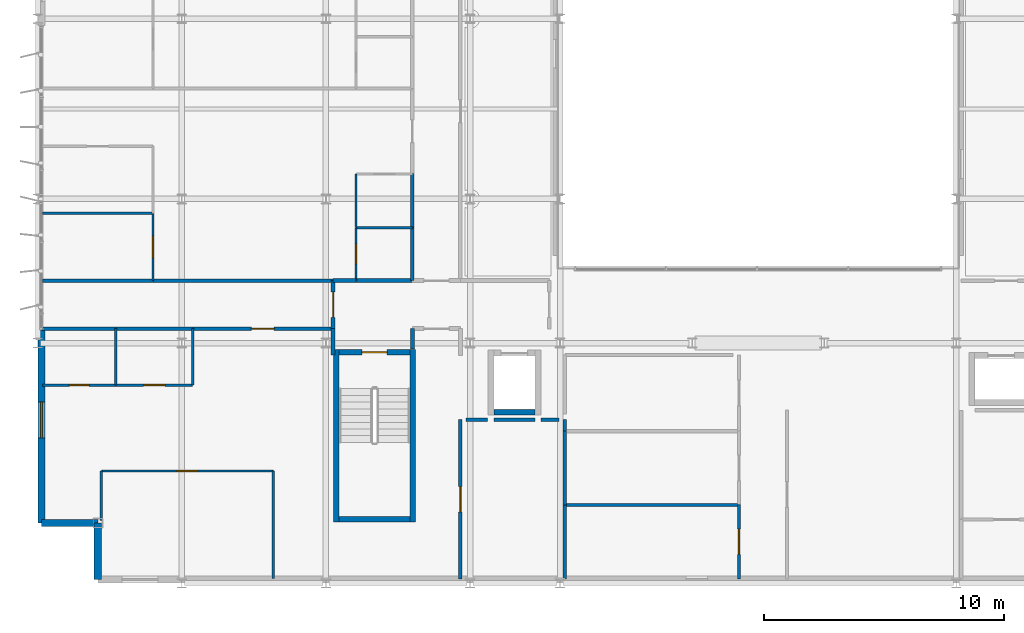
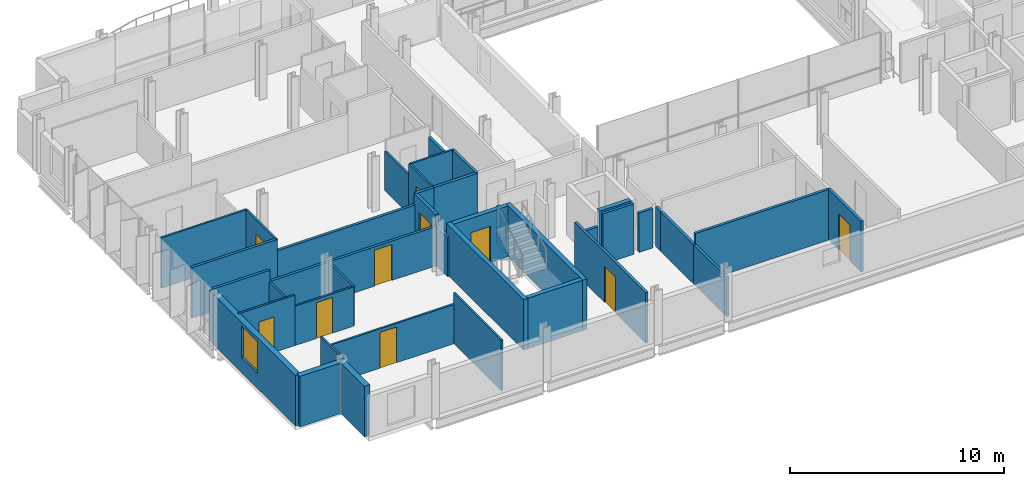
# One storey, part 29 of 38: 41 walls, 10 doors, 1 window, 11 openings.
"""IFC4 building model written with IfcOpenShell, lengths in metres."""

from ifc_helpers import new_model, si_unit, direction, frame, frame_2d, origin, place, context, subcontext, project, spatial, rectangle, extrude, material, layer, layer_set, type_object, element, fill, save


model = new_model("IFC4")

# Units and contexts
model_context = context("Model", 3, precision=1e-05, world=origin(), true_north=direction((0.0, 1.0)))
body_context = subcontext(model_context, "Body", "Model", "MODEL_VIEW")
ifc_project = project(units=[si_unit("LENGTHUNIT", "METRE"), si_unit("AREAUNIT", "SQUARE_METRE"), si_unit("VOLUMEUNIT", "CUBIC_METRE"), si_unit("PLANEANGLEUNIT", "RADIAN"), si_unit("MASSUNIT", "GRAM", prefix="KILO")], contexts=[model_context])

# Site, building, storey
site_placement = place(None, origin())
site = spatial("IfcSite", under=ifc_project, at=site_placement, CompositionType="ELEMENT")
building_placement = place(site_placement, origin())
building = spatial("IfcBuilding", under=site, at=building_placement, Name="Brevholm Reach", CompositionType="ELEMENT")
storey_placement = place(building_placement, frame((0.0, 0.0, 166.60009765625)))
storey = spatial("IfcBuildingStorey", under=building, at=storey_placement, Name="L50", CompositionType="ELEMENT", Elevation=166.60009765625)

# Walls
ifc_material_1 = material(Name="Concrete C45/55", Category="concrete")
ifc_layer_1 = layer(ifc_material_1, 0.239990234375)
ifc_layer_set_1 = layer_set([ifc_layer_1], Name="Concrete C45/55")
wall_type_1 = type_object("IfcWallType", Name="WAL-COR-240", PredefinedType="SHEAR", material=ifc_layer_set_1)
for number, where, z_axis, x_axis, name in (
    (1, (12.429931640625, 2.5400390625, 0.0), (0.0, 0.0, 1.0), (0.0, 1.0, 0.0), "L50 Escape Stair ST-1 Core Wall W"),
    (2, (15.6201171875, 2.5400390625, 0.0), (0.0, 0.0, 1.0), (0.0, 1.0, 0.0), "L50 Escape Stair ST-1 Core Wall E"),
):
    element("IfcWall", number, at=place(storey_placement, frame(where, z_axis=z_axis, x_axis=x_axis)), inside=storey, type_object=wall_type_1, Name=name, PredefinedType="SHEAR", context=body_context, shape_type="SweptSolid", body=[
        extrude(rectangle(XDim=7.199951171875, YDim=0.239990234375, at=frame_2d((3.60009765625, 0.0))), origin(), (0.0, 0.0, 1.0), 2.8798828125),
    ])
wall_1_placement = place(storey_placement, frame((12.550048828125, 2.659912109375, 0.0), z_axis=(0.0, 0.0, 1.0), x_axis=(1.0, 0.0, 0.0)))
element("IfcWall", 3, at=wall_1_placement, inside=storey, type_object=wall_type_1, Name="L50 Escape Stair ST-1 Core Wall S", PredefinedType="SHEAR", context=body_context, shape_type="SweptSolid", body=[
    extrude(rectangle(XDim=2.949951171875, YDim=0.239990234375, at=frame_2d((1.47509765625, 0.0))), origin(), (0.0, 0.0, 1.0), 2.8798828125),
])

# Wall, opening, door
wall_2_placement = place(storey_placement, frame((15.5, 9.6201171875, 0.0), z_axis=(0.0, 0.0, 1.0), x_axis=(-1.0, 0.0, 0.0)))
wall_2 = element("IfcWall", 4, at=wall_2_placement, inside=storey, type_object=wall_type_1, Name="L50 Escape Stair ST-1 Core Wall N", PredefinedType="SHEAR", context=body_context, shape_type="SweptSolid", body=[
    extrude(rectangle(XDim=2.949951171875, YDim=0.239990234375, at=frame_2d((1.47509765625, 0.0))), origin(), (0.0, 0.0, 1.0), 2.8798828125),
])
opening_1_placement = place(wall_2_placement, frame((0.949951171875, 0.0, 0.0)))
opening_1 = element("IfcOpeningElement", 5, at=opening_1_placement, cuts=wall_2, Name="Opening SD-ST-1", PredefinedType="OPENING", context=body_context, shape_type="SweptSolid", body=[
    extrude(rectangle(XDim=1.050048828125, YDim=2.06005859375, at=frame_2d((0.52490234375, 1.030029296875))), frame((0.0, 0.1298828125, 0.0), z_axis=(0.0, -1.0, 0.0), x_axis=(1.0, 0.0, 0.0)), (0.0, 0.0, 1.0), 0.260009765625),
])
ifc_material_2 = material(Name="Hardwood-Lipped Steel-Core Fire and Smoke Door", Category="steel")
door_type_1 = type_object("IfcDoorType", Name="DOR-INT-FD60S", OperationType="NOTDEFINED", PredefinedType="DOOR", material=ifc_material_2)
door_1_placement = place(opening_1_placement, origin())
door_1 = element("IfcDoor", 6, at=door_1_placement, inside=storey, type_object=door_type_1, Name="L50 Protected Stair ST-1 Lobby Door", OperationType="SINGLE_SWING_RIGHT", OverallHeight=2.06005859375, OverallWidth=1.050048828125, PredefinedType="DOOR", context=body_context, shape_type="SweptSolid", body=[
    extrude(rectangle(XDim=1.050048828125, YDim=2.06005859375, at=frame_2d((0.52490234375, 1.030029296875))), frame((0.0, 0.02490234375, 0.0), z_axis=(0.0, -1.0, 0.0), x_axis=(1.0, 0.0, 0.0)), (0.0, 0.0, 1.0), 0.050048828125),
])
fill(opening_1, door_1)

# Walls
wall_3_placement = place(storey_placement, frame((18.989990234375, 7.1201171875, 0.0), z_axis=(0.0, 0.0, 1.0), x_axis=(1.0, 0.0, 0.0)))
element("IfcWall", 7, at=wall_3_placement, inside=storey, type_object=wall_type_1, Name="L50 Lift FFL-1 Shaft Wall S", PredefinedType="SHEAR", context=body_context, shape_type="SweptSolid", body=[
    extrude(rectangle(XDim=1.719970703125, YDim=0.239990234375, at=frame_2d((0.85986328125, 0.0))), origin(), (0.0, 0.0, 1.0), 2.8798828125),
])
ifc_material_3 = material(Name="Concrete C40/50", Category="concrete")
ifc_layer_2 = layer(ifc_material_3, 0.300048828125)
ifc_layer_set_2 = layer_set([ifc_layer_2], Name="Concrete C40/50")
wall_type_2 = type_object("IfcWallType", Name="WAL-EXT-300", PredefinedType="STANDARD", material=ifc_layer_set_2)
for number, where, z_axis, x_axis, name in (
    (8, (2.5, 2.5, 0.0), (0.0, 0.0, 1.0), (0.0, -1.0, 0.0), "L50 Facade Wall WAL-L50-CSW1"),
    (9, (0.14990234375, 2.5, 0.0), (0.0, 0.0, 1.0), (1.0, 0.0, 0.0), "L50 Facade Wall WAL-L50-CSW2"),
):
    element("IfcWall", number, at=place(storey_placement, frame(where, z_axis=z_axis, x_axis=x_axis)), inside=storey, type_object=wall_type_2, Name=name, PredefinedType="STANDARD", context=body_context, shape_type="SweptSolid", body=[
        extrude(rectangle(XDim=2.35009765625, YDim=0.300048828125, at=frame_2d((1.175048828125, 0.0))), origin(), (0.0, 0.0, 1.0), 2.8798828125),
    ])

# Wall, opening, window
wall_4_placement = place(storey_placement, frame((0.14990234375, 10.550048828125, 0.0), z_axis=(0.0, 0.0, 1.0), x_axis=(0.0, -1.0, 0.0)))
wall_4 = element("IfcWall", 10, at=wall_4_placement, inside=storey, type_object=wall_type_2, Name="L50 Facade Wall WAL-L50-W-S", PredefinedType="STANDARD", context=body_context, shape_type="SweptSolid", body=[
    extrude(rectangle(XDim=8.050048828125, YDim=0.300048828125, at=frame_2d((4.02490234375, 0.0))), origin(), (0.0, 0.0, 1.0), 2.8798828125),
])
opening_2_placement = place(wall_4_placement, frame((3.0, 0.0, 0.860107421875)))
opening_2 = element("IfcOpeningElement", 11, at=opening_2_placement, cuts=wall_4, Name="Opening WN-05", PredefinedType="OPENING", context=body_context, shape_type="SweptSolid", body=[
    extrude(rectangle(XDim=1.5, YDim=1.800048828125, at=frame_2d((0.75, 0.89990234375))), frame((0.0, 0.159912109375, 0.0), z_axis=(0.0, -1.0, 0.0), x_axis=(1.0, 0.0, 0.0)), (0.0, 0.0, 1.0), 0.320068359375),
])
ifc_material_4 = material(Name="Dark Anodised Aluminium and Solar-Control IGU Glass", Category="aluminium")
window_type = type_object("IfcWindowType", Name="WIN-RES-1500", PartitioningType="SINGLE_PANEL", PredefinedType="WINDOW", material=ifc_material_4)
window_placement = place(opening_2_placement, origin())
window = element("IfcWindow", 12, at=window_placement, inside=storey, type_object=window_type, Name="L50 Window WIN-L50-WS-1", OverallHeight=1.800048828125, OverallWidth=1.5, PartitioningType="SINGLE_PANEL", PredefinedType="WINDOW", context=body_context, shape_type="SweptSolid", body=[
    extrude(rectangle(XDim=1.5, YDim=1.800048828125, at=frame_2d((0.75, 0.89990234375))), frame((0.0, 0.030029296875, 0.0), z_axis=(0.0, -1.0, 0.0), x_axis=(1.0, 0.0, 0.0)), (0.0, 0.0, 1.0), 0.06005859375),
])
fill(opening_2, window)

# Wall
ifc_material_5 = material(Name="Moisture-Resistant Acoustic Gypsum Stud Partition 100 mm", Category="gypsum")
ifc_layer_3 = layer(ifc_material_5, 0.10009765625)
ifc_layer_set_3 = layer_set([ifc_layer_3], Name="Moisture-Resistant Acoustic Gypsum Stud Partition 100 mm")
wall_type_3 = type_object("IfcWallType", Name="WAL-PRT-100", PredefinedType="PARTITIONING", material=ifc_layer_set_3)
wall_5_placement = place(storey_placement, frame((3.25, 8.25, 0.0), z_axis=(0.0, 0.0, 1.0), x_axis=(0.0, 1.0, 0.0)))
element("IfcWall", 13, at=wall_5_placement, inside=storey, type_object=wall_type_3, Name="L50 Internal Partition 061", PredefinedType="PARTITIONING", context=body_context, shape_type="SweptSolid", body=[
    extrude(rectangle(XDim=2.345947265625, YDim=0.10009765625, at=frame_2d((1.1728515625, 0.0))), origin(), (0.0, 0.0, 1.0), 2.24267578125),
])

# Wall, opening, door
wall_6_placement = place(storey_placement, frame((0.199951171875, 8.25, 0.0), z_axis=(0.0, 0.0, 1.0), x_axis=(1.0, 0.0, 0.0)))
wall_6 = element("IfcWall", 14, at=wall_6_placement, inside=storey, type_object=wall_type_3, Name="L50 Internal Partition 062", PredefinedType="PARTITIONING", context=body_context, shape_type="SweptSolid", body=[
    extrude(rectangle(XDim=3.050048828125, YDim=0.10009765625, at=frame_2d((1.52490234375, 0.0))), origin(), (0.0, 0.0, 1.0), 2.8798828125),
])
opening_3_placement = place(wall_6_placement, frame((1.114990234375, 0.0, 0.0)))
opening_3 = element("IfcOpeningElement", 15, at=opening_3_placement, cuts=wall_6, Name="Opening ID-03", PredefinedType="OPENING", context=body_context, shape_type="SweptSolid", body=[
    extrude(rectangle(XDim=0.820068359375, YDim=2.02001953125, at=frame_2d((0.41015625, 1.010009765625))), frame((0.0, 0.06005859375, 0.0), z_axis=(0.0, -1.0, 0.0), x_axis=(1.0, 0.0, 0.0)), (0.0, 0.0, 1.0), 0.1201171875),
])
ifc_material_6 = material(Name="Moisture-Resistant Painted Timber Internal Bathroom Door", Category="wood")
door_type_2 = type_object("IfcDoorType", Name="DOR-BATH-820", OperationType="NOTDEFINED", PredefinedType="DOOR", material=ifc_material_6)
door_2_placement = place(opening_3_placement, origin())
door_2 = element("IfcDoor", 16, at=door_2_placement, inside=storey, type_object=door_type_2, Name="L50 Internal Door 028", OperationType="SINGLE_SWING_RIGHT", OverallHeight=2.02001953125, OverallWidth=0.820068359375, PredefinedType="DOOR", context=body_context, shape_type="SweptSolid", body=[
    extrude(rectangle(XDim=0.820068359375, YDim=2.02001953125, at=frame_2d((0.41015625, 1.010009765625))), frame((0.0, 0.02490234375, 0.0), z_axis=(0.0, -1.0, 0.0), x_axis=(1.0, 0.0, 0.0)), (0.0, 0.0, 1.0), 0.050048828125),
])
fill(opening_3, door_2)

wall_7_placement = place(storey_placement, frame((3.25390625, 8.25, 0.0), z_axis=(0.0, 0.0, 1.0), x_axis=(1.0, 0.0, 0.0)))
wall_7 = element("IfcWall", 17, at=wall_7_placement, inside=storey, type_object=wall_type_3, Name="L50 Internal Partition 063", PredefinedType="PARTITIONING", context=body_context, shape_type="SweptSolid", body=[
    extrude(rectangle(XDim=3.196044921875, YDim=0.10009765625, at=frame_2d((1.59814453125, 0.0))), origin(), (0.0, 0.0, 1.0), 2.24267578125),
])
opening_4_placement = place(wall_7_placement, frame((1.157958984375, 0.0, 0.0)))
opening_4 = element("IfcOpeningElement", 18, at=opening_4_placement, cuts=wall_7, Name="Opening ID-01", PredefinedType="OPENING", context=body_context, shape_type="SweptSolid", body=[
    extrude(rectangle(XDim=0.8798828125, YDim=2.0400390625, at=frame_2d((0.43994140625, 1.02001953125))), frame((0.0, 0.06005859375, 0.0), z_axis=(0.0, -1.0, 0.0), x_axis=(1.0, 0.0, 0.0)), (0.0, 0.0, 1.0), 0.1201171875),
])
ifc_material_7 = material(Name="Lacquered Ash Solid-Core Acoustic Internal Door", Category="timber")
door_type_3 = type_object("IfcDoorType", Name="DOR-INT-880", OperationType="NOTDEFINED", PredefinedType="DOOR", material=ifc_material_7)
door_3_placement = place(opening_4_placement, origin())
door_3 = element("IfcDoor", 19, at=door_3_placement, inside=storey, type_object=door_type_3, Name="L50 Internal Door 029", OperationType="SINGLE_SWING_LEFT", OverallHeight=2.0400390625, OverallWidth=0.8798828125, PredefinedType="DOOR", context=body_context, shape_type="SweptSolid", body=[
    extrude(rectangle(XDim=0.8798828125, YDim=2.0400390625, at=frame_2d((0.43994140625, 1.02001953125))), frame((0.0, 0.02490234375, 0.0), z_axis=(0.0, -1.0, 0.0), x_axis=(1.0, 0.0, 0.0)), (0.0, 0.0, 1.0), 0.050048828125),
])
fill(opening_4, door_3)

# Walls
wall_8_placement = place(storey_placement, frame((6.449951171875, 8.25, 0.0), z_axis=(0.0, 0.0, 1.0), x_axis=(0.0, 1.0, 0.0)))
element("IfcWall", 20, at=wall_8_placement, inside=storey, type_object=wall_type_3, Name="L50 Internal Partition 064", PredefinedType="PARTITIONING", context=body_context, shape_type="SweptSolid", body=[
    extrude(rectangle(XDim=2.345947265625, YDim=0.10009765625, at=frame_2d((1.1728515625, 0.0))), origin(), (0.0, 0.0, 1.0), 2.24267578125),
])
wall_9_placement = place(storey_placement, frame((2.64990234375, 2.599365234375, 0.0), z_axis=(0.0, 0.0, 1.0), x_axis=(0.0, 1.0, 0.0)))
element("IfcWall", 21, at=wall_9_placement, inside=storey, type_object=wall_type_3, Name="L50 Internal Partition 065", PredefinedType="PARTITIONING", context=body_context, shape_type="SweptSolid", body=[
    extrude(rectangle(XDim=2.07275390625, YDim=0.10009765625, at=frame_2d((1.036376953125, 0.0))), origin(), (0.0, 0.0, 1.0), 2.8798828125),
])
wall_10_placement = place(storey_placement, frame((9.805908203125, 0.199951171875, 0.0), z_axis=(0.0, 0.0, 1.0), x_axis=(0.0, 1.0, 0.0)))
element("IfcWall", 22, at=wall_10_placement, inside=storey, type_object=wall_type_3, Name="L50 Internal Partition 066", PredefinedType="PARTITIONING", context=body_context, shape_type="SweptSolid", body=[
    extrude(rectangle(XDim=4.47216796875, YDim=0.10009765625, at=frame_2d((2.236083984375, 0.0))), origin(), (0.0, 0.0, 1.0), 2.8798828125),
])

# Wall, opening, door
wall_11_placement = place(storey_placement, frame((2.64990234375, 4.672119140625, 0.0), z_axis=(0.0, 0.0, 1.0), x_axis=(1.0, 0.0, 0.0)))
wall_11 = element("IfcWall", 23, at=wall_11_placement, inside=storey, type_object=wall_type_3, Name="L50 Internal Partition 067", PredefinedType="PARTITIONING", context=body_context, shape_type="SweptSolid", body=[
    extrude(rectangle(XDim=7.156005859375, YDim=0.10009765625, at=frame_2d((3.578125, 0.0))), origin(), (0.0, 0.0, 1.0), 2.24267578125),
])
opening_5_placement = place(wall_11_placement, frame((3.137939453125, 0.0, 0.0)))
opening_5 = element("IfcOpeningElement", 24, at=opening_5_placement, cuts=wall_11, Name="Opening ID-01", PredefinedType="OPENING", context=body_context, shape_type="SweptSolid", body=[
    extrude(rectangle(XDim=0.8798828125, YDim=2.0400390625, at=frame_2d((0.43994140625, 1.02001953125))), frame((0.0, 0.06005859375, 0.0), z_axis=(0.0, -1.0, 0.0), x_axis=(1.0, 0.0, 0.0)), (0.0, 0.0, 1.0), 0.1201171875),
])
door_4_placement = place(opening_5_placement, origin())
door_4 = element("IfcDoor", 25, at=door_4_placement, inside=storey, type_object=door_type_3, Name="L50 Internal Door 030", OperationType="SINGLE_SWING_RIGHT", OverallHeight=2.0400390625, OverallWidth=0.8798828125, PredefinedType="DOOR", context=body_context, shape_type="SweptSolid", body=[
    extrude(rectangle(XDim=0.8798828125, YDim=2.0400390625, at=frame_2d((0.43994140625, 1.02001953125))), frame((0.0, 0.02490234375, 0.0), z_axis=(0.0, -1.0, 0.0), x_axis=(1.0, 0.0, 0.0)), (0.0, 0.0, 1.0), 0.050048828125),
])
fill(opening_5, door_4)

# Wall
wall_12_placement = place(storey_placement, frame((13.25, 14.800048828125, 0.0), z_axis=(0.0, 0.0, 1.0), x_axis=(1.0, 0.0, 0.0)))
element("IfcWall", 26, at=wall_12_placement, inside=storey, type_object=wall_type_3, Name="L50 Internal Partition 068", PredefinedType="PARTITIONING", context=body_context, shape_type="SweptSolid", body=[
    extrude(rectangle(XDim=2.345947265625, YDim=0.10009765625, at=frame_2d((1.1728515625, 0.0))), origin(), (0.0, 0.0, 1.0), 2.8798828125),
])

# Wall, opening, door
wall_13_placement = place(storey_placement, frame((13.25, 12.60400390625, 0.0), z_axis=(0.0, 0.0, 1.0), x_axis=(0.0, 1.0, 0.0)))
wall_13 = element("IfcWall", 27, at=wall_13_placement, inside=storey, type_object=wall_type_3, Name="L50 Internal Partition 069", PredefinedType="PARTITIONING", context=body_context, shape_type="SweptSolid", body=[
    extrude(rectangle(XDim=2.196044921875, YDim=0.10009765625, at=frame_2d((1.09814453125, 0.0))), origin(), (0.0, 0.0, 1.0), 2.8798828125),
])
opening_6_placement = place(wall_13_placement, frame((0.68798828125, 0.0, 0.0)))
opening_6 = element("IfcOpeningElement", 28, at=opening_6_placement, cuts=wall_13, Name="Opening ID-03", PredefinedType="OPENING", context=body_context, shape_type="SweptSolid", body=[
    extrude(rectangle(XDim=0.820068359375, YDim=2.02001953125, at=frame_2d((0.41015625, 1.010009765625))), frame((0.0, 0.06005859375, 0.0), z_axis=(0.0, -1.0, 0.0), x_axis=(1.0, 0.0, 0.0)), (0.0, 0.0, 1.0), 0.1201171875),
])
door_5_placement = place(opening_6_placement, origin())
door_5 = element("IfcDoor", 29, at=door_5_placement, inside=storey, type_object=door_type_2, Name="L50 Internal Door 031", OperationType="SINGLE_SWING_LEFT", OverallHeight=2.02001953125, OverallWidth=0.820068359375, PredefinedType="DOOR", context=body_context, shape_type="SweptSolid", body=[
    extrude(rectangle(XDim=0.820068359375, YDim=2.02001953125, at=frame_2d((0.41015625, 1.010009765625))), frame((0.0, 0.02490234375, 0.0), z_axis=(0.0, -1.0, 0.0), x_axis=(1.0, 0.0, 0.0)), (0.0, 0.0, 1.0), 0.050048828125),
])
fill(opening_6, door_5)

# Walls
wall_14_placement = place(storey_placement, frame((13.25, 14.803955078125, 0.0), z_axis=(0.0, 0.0, 1.0), x_axis=(0.0, 1.0, 0.0)))
element("IfcWall", 30, at=wall_14_placement, inside=storey, type_object=wall_type_3, Name="L50 Internal Partition 071", PredefinedType="PARTITIONING", context=body_context, shape_type="SweptSolid", body=[
    extrude(rectangle(XDim=2.236083984375, YDim=0.10009765625, at=frame_2d((1.1181640625, 0.0))), origin(), (0.0, 0.0, 1.0), 2.24267578125),
])
wall_15_placement = place(storey_placement, frame((0.199951171875, 15.39990234375, 0.0), z_axis=(0.0, 0.0, 1.0), x_axis=(1.0, 0.0, 0.0)))
element("IfcWall", 31, at=wall_15_placement, inside=storey, type_object=wall_type_3, Name="L50 Internal Partition 072", PredefinedType="PARTITIONING", context=body_context, shape_type="SweptSolid", body=[
    extrude(rectangle(XDim=4.60009765625, YDim=0.10009765625, at=frame_2d((2.300048828125, 0.0))), origin(), (0.0, 0.0, 1.0), 2.8798828125),
])

# Wall, opening, door
wall_16_placement = place(storey_placement, frame((4.800048828125, 12.60400390625, 0.0), z_axis=(0.0, 0.0, 1.0), x_axis=(0.0, 1.0, 0.0)))
wall_16 = element("IfcWall", 32, at=wall_16_placement, inside=storey, type_object=wall_type_3, Name="L50 Internal Partition 073", PredefinedType="PARTITIONING", context=body_context, shape_type="SweptSolid", body=[
    extrude(rectangle(XDim=2.7958984375, YDim=0.10009765625, at=frame_2d((1.39794921875, 0.0))), origin(), (0.0, 0.0, 1.0), 2.8798828125),
])
opening_7_placement = place(wall_16_placement, frame((0.9580078125, 0.0, 0.0)))
opening_7 = element("IfcOpeningElement", 33, at=opening_7_placement, cuts=wall_16, Name="Opening ID-01", PredefinedType="OPENING", context=body_context, shape_type="SweptSolid", body=[
    extrude(rectangle(XDim=0.8798828125, YDim=2.0400390625, at=frame_2d((0.43994140625, 1.02001953125))), frame((0.0, 0.06005859375, 0.0), z_axis=(0.0, -1.0, 0.0), x_axis=(1.0, 0.0, 0.0)), (0.0, 0.0, 1.0), 0.1201171875),
])
door_6_placement = place(opening_7_placement, origin())
door_6 = element("IfcDoor", 34, at=door_6_placement, inside=storey, type_object=door_type_3, Name="L50 Internal Door 033", OperationType="SINGLE_SWING_LEFT", OverallHeight=2.0400390625, OverallWidth=0.8798828125, PredefinedType="DOOR", context=body_context, shape_type="SweptSolid", body=[
    extrude(rectangle(XDim=0.8798828125, YDim=2.0400390625, at=frame_2d((0.43994140625, 1.02001953125))), frame((0.0, 0.02490234375, 0.0), z_axis=(0.0, -1.0, 0.0), x_axis=(1.0, 0.0, 0.0)), (0.0, 0.0, 1.0), 0.050048828125),
])
fill(opening_7, door_6)

ifc_material_8 = material(Name="Twin-Stud Acoustic Fire-Rated Gypsum Partition 140 mm", Category="gypsum")
ifc_layer_4 = layer(ifc_material_8, 0.139892578125)
ifc_layer_set_4 = layer_set([ifc_layer_4], Name="Twin-Stud Acoustic Fire-Rated Gypsum Partition 140 mm")
wall_type_4 = type_object("IfcWallType", Name="WAL-PRT-140", PredefinedType="PARTITIONING", material=ifc_layer_set_4)
wall_17_placement = place(storey_placement, frame((29.199951171875, 0.179931640625, 0.0), z_axis=(0.0, 0.0, 1.0), x_axis=(0.0, 1.0, 0.0)))
wall_17 = element("IfcWall", 35, at=wall_17_placement, inside=storey, type_object=wall_type_4, Name="L50 Internal Partition 001", PredefinedType="PARTITIONING", context=body_context, shape_type="SweptSolid", body=[
    extrude(rectangle(XDim=3.08740234375, YDim=0.139892578125, at=frame_2d((1.543701171875, 0.0))), origin(), (0.0, 0.0, 1.0), 2.8798828125),
])
opening_8_placement = place(wall_17_placement, frame((1.018798828125, 0.0, 0.0)))
opening_8 = element("IfcOpeningElement", 36, at=opening_8_placement, cuts=wall_17, Name="Opening FD-01", PredefinedType="OPENING", context=body_context, shape_type="SweptSolid", body=[
    extrude(rectangle(XDim=1.050048828125, YDim=2.06005859375, at=frame_2d((0.52490234375, 1.030029296875))), frame((0.0, 0.079833984375, 0.0), z_axis=(0.0, -1.0, 0.0), x_axis=(1.0, 0.0, 0.0)), (0.0, 0.0, 1.0), 0.159912109375),
])
door_7_placement = place(opening_8_placement, origin())
door_7 = element("IfcDoor", 37, at=door_7_placement, inside=storey, type_object=door_type_1, Name="L50 Internal Door 001", OperationType="SINGLE_SWING_LEFT", OverallHeight=2.06005859375, OverallWidth=1.050048828125, PredefinedType="DOOR", context=body_context, shape_type="SweptSolid", body=[
    extrude(rectangle(XDim=1.050048828125, YDim=2.06005859375, at=frame_2d((0.52490234375, 1.030029296875))), frame((0.0, 0.02490234375, 0.0), z_axis=(0.0, -1.0, 0.0), x_axis=(1.0, 0.0, 0.0)), (0.0, 0.0, 1.0), 0.050048828125),
])
fill(opening_8, door_7)

# Walls
wall_18_placement = place(storey_placement, frame((21.949951171875, 3.256103515625, 0.0), z_axis=(0.0, 0.0, 1.0), x_axis=(1.0, 0.0, 0.0)))
element("IfcWall", 38, at=wall_18_placement, inside=storey, type_object=wall_type_4, Name="L50 Internal Partition 005", PredefinedType="PARTITIONING", context=body_context, shape_type="SweptSolid", body=[
    extrude(rectangle(XDim=7.24609375, YDim=0.139892578125, at=frame_2d((3.623046875, 0.0))), origin(), (0.0, 0.0, 1.0), 2.8798828125),
])
wall_19_placement = place(storey_placement, frame((21.949951171875, 0.179931640625, 0.0), z_axis=(0.0, 0.0, 1.0), x_axis=(0.0, 1.0, 0.0)))
element("IfcWall", 39, at=wall_19_placement, inside=storey, type_object=wall_type_4, Name="L50 Internal Partition 006", PredefinedType="PARTITIONING", context=body_context, shape_type="SweptSolid", body=[
    extrude(rectangle(XDim=3.076171875, YDim=0.139892578125, at=frame_2d((1.5380859375, 0.0))), origin(), (0.0, 0.0, 1.0), 2.24267578125),
])
wall_20_placement = place(storey_placement, frame((21.949951171875, 3.260009765625, 0.0), z_axis=(0.0, 0.0, 1.0), x_axis=(0.0, 1.0, 0.0)))
element("IfcWall", 40, at=wall_20_placement, inside=storey, type_object=wall_type_4, Name="L50 Internal Partition 008", PredefinedType="PARTITIONING", context=body_context, shape_type="SweptSolid", body=[
    extrude(rectangle(XDim=3.071044921875, YDim=0.139892578125, at=frame_2d((1.53564453125, 0.0))), origin(), (0.0, 0.0, 1.0), 2.24267578125),
])
wall_21_placement = place(storey_placement, frame((21.949951171875, 6.3349609375, 0.0), z_axis=(0.0, 0.0, 1.0), x_axis=(0.0, 1.0, 0.0)))
element("IfcWall", 41, at=wall_21_placement, inside=storey, type_object=wall_type_4, Name="L50 Internal Partition 009", PredefinedType="PARTITIONING", context=body_context, shape_type="SweptSolid", body=[
    extrude(rectangle(XDim=0.476318359375, YDim=0.139892578125, at=frame_2d((0.23828125, 0.0))), origin(), (0.0, 0.0, 1.0), 2.24267578125),
])

# Wall, opening, door
wall_22_placement = place(storey_placement, frame((17.60009765625, 0.179931640625, 0.0), z_axis=(0.0, 0.0, 1.0), x_axis=(0.0, 1.0, 0.0)))
wall_22 = element("IfcWall", 42, at=wall_22_placement, inside=storey, type_object=wall_type_4, Name="L50 Internal Partition 015", PredefinedType="PARTITIONING", context=body_context, shape_type="SweptSolid", body=[
    extrude(rectangle(XDim=6.63134765625, YDim=0.139892578125, at=frame_2d((3.315673828125, 0.0))), origin(), (0.0, 0.0, 1.0), 2.8798828125),
])
opening_9_placement = place(wall_22_placement, frame((2.790771484375, 0.0, 0.0)))
opening_9 = element("IfcOpeningElement", 43, at=opening_9_placement, cuts=wall_22, Name="Opening FD-01", PredefinedType="OPENING", context=body_context, shape_type="SweptSolid", body=[
    extrude(rectangle(XDim=1.050048828125, YDim=2.06005859375, at=frame_2d((0.52490234375, 1.030029296875))), frame((0.0, 0.079833984375, 0.0), z_axis=(0.0, -1.0, 0.0), x_axis=(1.0, 0.0, 0.0)), (0.0, 0.0, 1.0), 0.159912109375),
])
door_8_placement = place(opening_9_placement, origin())
door_8 = element("IfcDoor", 44, at=door_8_placement, inside=storey, type_object=door_type_1, Name="L50 Internal Door 008", OperationType="SINGLE_SWING_RIGHT", OverallHeight=2.06005859375, OverallWidth=1.050048828125, PredefinedType="DOOR", context=body_context, shape_type="SweptSolid", body=[
    extrude(rectangle(XDim=1.050048828125, YDim=2.06005859375, at=frame_2d((0.52490234375, 1.030029296875))), frame((0.0, 0.02490234375, 0.0), z_axis=(0.0, -1.0, 0.0), x_axis=(1.0, 0.0, 0.0)), (0.0, 0.0, 1.0), 0.050048828125),
])
fill(opening_9, door_8)

# Walls
wall_23_placement = place(storey_placement, frame((15.60009765625, 12.60400390625, 0.0), z_axis=(0.0, 0.0, 1.0), x_axis=(0.0, 1.0, 0.0)))
element("IfcWall", 45, at=wall_23_placement, inside=storey, type_object=wall_type_4, Name="L50 Internal Partition 034", PredefinedType="PARTITIONING", context=body_context, shape_type="SweptSolid", body=[
    extrude(rectangle(XDim=2.207275390625, YDim=0.139892578125, at=frame_2d((1.103515625, 0.0))), origin(), (0.0, 0.0, 1.0), 2.8798828125),
])
wall_24_placement = place(storey_placement, frame((15.60009765625, 14.792724609375, 0.0), z_axis=(0.0, 0.0, 1.0), x_axis=(0.0, 1.0, 0.0)))
element("IfcWall", 46, at=wall_24_placement, inside=storey, type_object=wall_type_4, Name="L50 Internal Partition 035", PredefinedType="PARTITIONING", context=body_context, shape_type="SweptSolid", body=[
    extrude(rectangle(XDim=2.258544921875, YDim=0.139892578125, at=frame_2d((1.12939453125, 0.0))), origin(), (0.0, 0.0, 1.0), 2.24267578125),
])
wall_25_placement = place(storey_placement, frame((0.199951171875, 10.60009765625, 0.0), z_axis=(0.0, 0.0, 1.0), x_axis=(1.0, 0.0, 0.0)))
element("IfcWall", 47, at=wall_25_placement, inside=storey, type_object=wall_type_4, Name="L50 Internal Partition 056", PredefinedType="PARTITIONING", context=body_context, shape_type="SweptSolid", body=[
    extrude(rectangle(XDim=3.061279296875, YDim=0.139892578125, at=frame_2d((1.53076171875, 0.0))), origin(), (0.0, 0.0, 1.0), 2.8798828125),
])
wall_26_placement = place(storey_placement, frame((3.24267578125, 10.60009765625, 0.0), z_axis=(0.0, 0.0, 1.0), x_axis=(1.0, 0.0, 0.0)))
element("IfcWall", 48, at=wall_26_placement, inside=storey, type_object=wall_type_4, Name="L50 Internal Partition 057", PredefinedType="PARTITIONING", context=body_context, shape_type="SweptSolid", body=[
    extrude(rectangle(XDim=3.218505859375, YDim=0.139892578125, at=frame_2d((1.609375, 0.0))), origin(), (0.0, 0.0, 1.0), 2.24267578125),
])

# Wall, opening, door
wall_27_placement = place(storey_placement, frame((6.442626953125, 10.60009765625, 0.0), z_axis=(0.0, 0.0, 1.0), x_axis=(1.0, 0.0, 0.0)))
wall_27 = element("IfcWall", 49, at=wall_27_placement, inside=storey, type_object=wall_type_4, Name="L50 Internal Partition 058", PredefinedType="PARTITIONING", context=body_context, shape_type="SweptSolid", body=[
    extrude(rectangle(XDim=5.853271484375, YDim=0.139892578125, at=frame_2d((2.9267578125, 0.0))), origin(), (0.0, 0.0, 1.0), 2.24267578125),
])
opening_10_placement = place(wall_27_placement, frame((2.45166015625, 0.0, 0.0)))
opening_10 = element("IfcOpeningElement", 50, at=opening_10_placement, cuts=wall_27, Name="Opening ID-30", PredefinedType="OPENING", context=body_context, shape_type="SweptSolid", body=[
    extrude(rectangle(XDim=0.949951171875, YDim=2.050048828125, at=frame_2d((0.47509765625, 1.02490234375))), frame((0.0, 0.079833984375, 0.0), z_axis=(0.0, -1.0, 0.0), x_axis=(1.0, 0.0, 0.0)), (0.0, 0.0, 1.0), 0.159912109375),
])
ifc_material_9 = material(Name="European Oak Veneered Solid-Core Fire Entrance Door", Category="timber")
door_type_4 = type_object("IfcDoorType", Name="DOR-FLT-FD30S", OperationType="NOTDEFINED", PredefinedType="DOOR", material=ifc_material_9)
door_9_placement = place(opening_10_placement, origin())
door_9 = element("IfcDoor", 51, at=door_9_placement, inside=storey, type_object=door_type_4, Name="L50 Internal Door 027", OperationType="SINGLE_SWING_LEFT", OverallHeight=2.050048828125, OverallWidth=0.949951171875, PredefinedType="DOOR", context=body_context, shape_type="SweptSolid", body=[
    extrude(rectangle(XDim=0.949951171875, YDim=2.050048828125, at=frame_2d((0.47509765625, 1.02490234375))), frame((0.0, 0.02490234375, 0.0), z_axis=(0.0, -1.0, 0.0), x_axis=(1.0, 0.0, 0.0)), (0.0, 0.0, 1.0), 0.050048828125),
])
fill(opening_10, door_9)

# Walls
wall_28_placement = place(storey_placement, frame((0.199951171875, 12.60009765625, 0.0), z_axis=(0.0, 0.0, 1.0), x_axis=(1.0, 0.0, 0.0)))
element("IfcWall", 52, at=wall_28_placement, inside=storey, type_object=wall_type_4, Name="L50 Internal Partition 059", PredefinedType="PARTITIONING", context=body_context, shape_type="SweptSolid", body=[
    extrude(rectangle(XDim=4.611328125, YDim=0.139892578125, at=frame_2d((2.3056640625, 0.0))), origin(), (0.0, 0.0, 1.0), 2.8798828125),
])
wall_29_placement = place(storey_placement, frame((4.792724609375, 12.60009765625, 0.0), z_axis=(0.0, 0.0, 1.0), x_axis=(1.0, 0.0, 0.0)))
element("IfcWall", 53, at=wall_29_placement, inside=storey, type_object=wall_type_4, Name="L50 Internal Partition 060", PredefinedType="PARTITIONING", context=body_context, shape_type="SweptSolid", body=[
    extrude(rectangle(XDim=7.503173828125, YDim=0.139892578125, at=frame_2d((3.75146484375, 0.0))), origin(), (0.0, 0.0, 1.0), 2.24267578125),
])
wall_30_placement = place(storey_placement, frame((20.962646484375, 6.800048828125, 0.0), z_axis=(0.0, 0.0, 1.0), x_axis=(1.0, 0.0, 0.0)))
element("IfcWall", 54, at=wall_30_placement, inside=storey, type_object=wall_type_4, Name="L50 Internal Partition 114", PredefinedType="PARTITIONING", context=body_context, shape_type="SweptSolid", body=[
    extrude(rectangle(XDim=0.747314453125, YDim=0.139892578125, at=frame_2d((0.37353515625, 0.0))), origin(), (0.0, 0.0, 1.0), 2.24267578125),
])
wall_31_placement = place(storey_placement, frame((19.002685546875, 6.800048828125, 0.0), z_axis=(0.0, 0.0, 1.0), x_axis=(1.0, 0.0, 0.0)))
element("IfcWall", 55, at=wall_31_placement, inside=storey, type_object=wall_type_4, Name="L50 Internal Partition 115", PredefinedType="PARTITIONING", context=body_context, shape_type="SweptSolid", body=[
    extrude(rectangle(XDim=1.69482421875, YDim=0.139892578125, at=frame_2d((0.847412109375, 0.0))), origin(), (0.0, 0.0, 1.0), 2.8798828125),
])
wall_32_placement = place(storey_placement, frame((17.840087890625, 6.800048828125, 0.0), z_axis=(0.0, 0.0, 1.0), x_axis=(1.0, 0.0, 0.0)))
element("IfcWall", 56, at=wall_32_placement, inside=storey, type_object=wall_type_4, Name="L50 Internal Partition 116", PredefinedType="PARTITIONING", context=body_context, shape_type="SweptSolid", body=[
    extrude(rectangle(XDim=0.897216796875, YDim=0.139892578125, at=frame_2d((0.44873046875, 0.0))), origin(), (0.0, 0.0, 1.0), 2.24267578125),
])
ifc_material_10 = material(Name="Twin-Frame Fire-Rated Gypsum Board and Mineral Wool 160 mm", Category="gypsum")
ifc_layer_5 = layer(ifc_material_10, 0.159912109375)
ifc_layer_set_5 = layer_set([ifc_layer_5], Name="Twin-Frame Fire-Rated Gypsum Board and Mineral Wool 160 mm")
wall_type_5 = type_object("IfcWallType", Name="WAL-PRT-160", PredefinedType="PARTITIONING", material=ifc_layer_set_5)
wall_33_placement = place(storey_placement, frame((15.60009765625, 9.75, 0.0), z_axis=(0.0, 0.0, 1.0), x_axis=(0.0, 1.0, 0.0)))
element("IfcWall", 57, at=wall_33_placement, inside=storey, type_object=wall_type_5, Name="L50 Internal Partition 016", PredefinedType="PARTITIONING", context=body_context, shape_type="SweptSolid", body=[
    extrude(rectangle(XDim=0.85009765625, YDim=0.159912109375, at=frame_2d((0.425048828125, 0.0))), origin(), (0.0, 0.0, 1.0), 2.24267578125),
])

# Wall, opening, door
wall_34_placement = place(storey_placement, frame((12.300048828125, 10.588623046875, 0.0), z_axis=(0.0, 0.0, 1.0), x_axis=(0.0, 1.0, 0.0)))
wall_34 = element("IfcWall", 58, at=wall_34_placement, inside=storey, type_object=wall_type_5, Name="L50 Internal Partition 022", PredefinedType="PARTITIONING", context=body_context, shape_type="SweptSolid", body=[
    extrude(rectangle(XDim=2.011474609375, YDim=0.159912109375, at=frame_2d((1.005859375, 0.0))), origin(), (0.0, 0.0, 1.0), 2.8798828125),
])
opening_11_placement = place(wall_34_placement, frame((0.480712890625, 0.0, 0.0)))
opening_11 = element("IfcOpeningElement", 59, at=opening_11_placement, cuts=wall_34, Name="Opening FD-01", PredefinedType="OPENING", context=body_context, shape_type="SweptSolid", body=[
    extrude(rectangle(XDim=1.050048828125, YDim=2.06005859375, at=frame_2d((0.52490234375, 1.030029296875))), frame((0.0, 0.08984375, 0.0), z_axis=(0.0, -1.0, 0.0), x_axis=(1.0, 0.0, 0.0)), (0.0, 0.0, 1.0), 0.179931640625),
])
door_10_placement = place(opening_11_placement, origin())
door_10 = element("IfcDoor", 60, at=door_10_placement, inside=storey, type_object=door_type_1, Name="L50 Internal Door 012", OperationType="SINGLE_SWING_RIGHT", OverallHeight=2.06005859375, OverallWidth=1.050048828125, PredefinedType="DOOR", context=body_context, shape_type="SweptSolid", body=[
    extrude(rectangle(XDim=1.050048828125, YDim=2.06005859375, at=frame_2d((0.52490234375, 1.030029296875))), frame((0.0, 0.02490234375, 0.0), z_axis=(0.0, -1.0, 0.0), x_axis=(1.0, 0.0, 0.0)), (0.0, 0.0, 1.0), 0.050048828125),
])
fill(opening_11, door_10)

# Walls
wall_35_placement = place(storey_placement, frame((12.300048828125, 9.5, 0.0), z_axis=(0.0, 0.0, 1.0), x_axis=(0.0, 1.0, 0.0)))
element("IfcWall", 61, at=wall_35_placement, inside=storey, type_object=wall_type_5, Name="L50 Internal Partition 023", PredefinedType="PARTITIONING", context=body_context, shape_type="SweptSolid", body=[
    extrude(rectangle(XDim=1.107421875, YDim=0.159912109375, at=frame_2d((0.5537109375, 0.0))), origin(), (0.0, 0.0, 1.0), 2.24267578125),
])
wall_36_placement = place(storey_placement, frame((13.23876953125, 12.60009765625, 0.0), z_axis=(0.0, 0.0, 1.0), x_axis=(1.0, 0.0, 0.0)))
element("IfcWall", 62, at=wall_36_placement, inside=storey, type_object=wall_type_5, Name="L50 Internal Partition 024", PredefinedType="PARTITIONING", context=body_context, shape_type="SweptSolid", body=[
    extrude(rectangle(XDim=2.36865234375, YDim=0.159912109375, at=frame_2d((1.184326171875, 0.0))), origin(), (0.0, 0.0, 1.0), 2.8798828125),
])
wall_37_placement = place(storey_placement, frame((12.300048828125, 12.60009765625, 0.0), z_axis=(0.0, 0.0, 1.0), x_axis=(1.0, 0.0, 0.0)))
element("IfcWall", 63, at=wall_37_placement, inside=storey, type_object=wall_type_5, Name="L50 Internal Partition 025", PredefinedType="PARTITIONING", context=body_context, shape_type="SweptSolid", body=[
    extrude(rectangle(XDim=0.957275390625, YDim=0.159912109375, at=frame_2d((0.478515625, 0.0))), origin(), (0.0, 0.0, 1.0), 2.8798828125),
])

save(model, "model.ifc")
